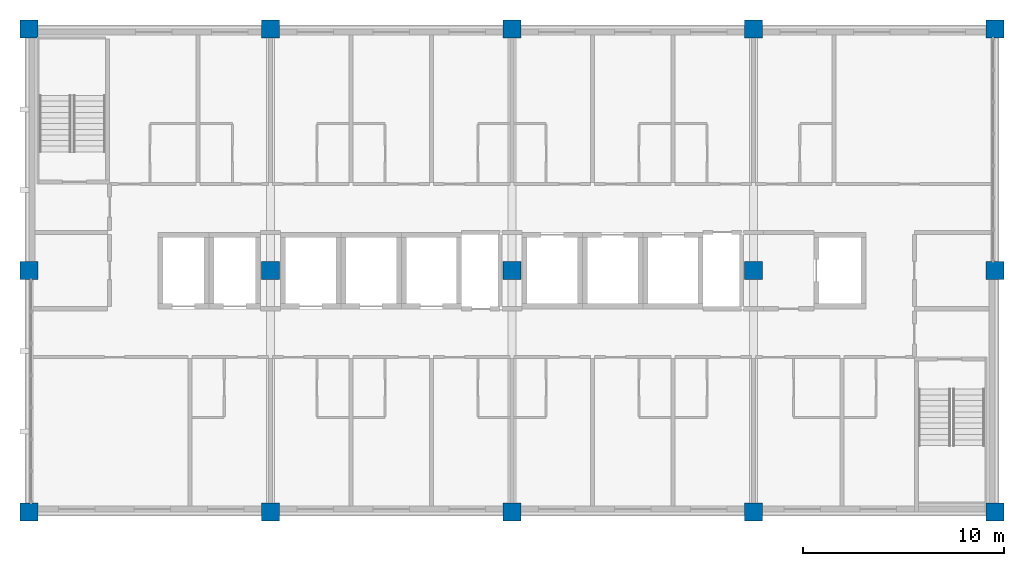
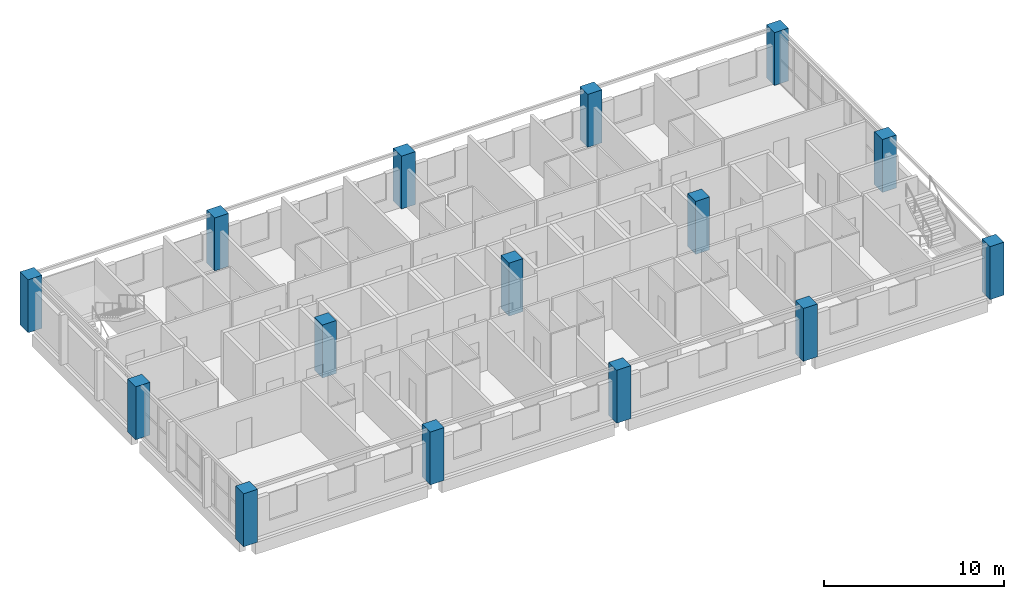
# One storey, part 1 of 11: 15 columns.
"""IFC4 building model written with IfcOpenShell, lengths in metres."""

from ifc_helpers import new_model, si_unit, direction, frame, origin, origin_2d, place, context, subcontext, project, spatial, rectangle, extrude, material, material_profile, profile_set, type_object, element, save


model = new_model("IFC4")

# Units and contexts
model_context = context("Model", 3, precision=1e-05, world=origin(), true_north=direction((0.0, 1.0)))
body_context = subcontext(model_context, "Body", "Model", "MODEL_VIEW")
ifc_project = project(units=[si_unit("LENGTHUNIT", "METRE"), si_unit("AREAUNIT", "SQUARE_METRE"), si_unit("VOLUMEUNIT", "CUBIC_METRE"), si_unit("PLANEANGLEUNIT", "RADIAN"), si_unit("MASSUNIT", "GRAM", prefix="KILO")], contexts=[model_context])

# Site, building, storey
site_placement = place(None, origin())
site = spatial("IfcSite", under=ifc_project, at=site_placement, CompositionType="ELEMENT")
building_placement = place(site_placement, origin())
building = spatial("IfcBuilding", under=site, at=building_placement, Name="Lilac Gate Convention Centre", CompositionType="ELEMENT")
storey_placement = place(building_placement, frame((0.0, 0.0, 28.199951171875)))
storey = spatial("IfcBuildingStorey", under=building, at=storey_placement, Name="L06", CompositionType="ELEMENT", Elevation=28.199951171875)

# Columns
ifc_material = material(Name="Concrete C50", Category="concrete")
ifc_material_profile = material_profile(ifc_material, rectangle(XDim=0.89990234375, YDim=0.89990234375, at=origin_2d()), Name="RC 900x900")
ifc_profile_set = profile_set([ifc_material_profile], Name="Concrete C50")
column_type = type_object("IfcColumnType", Name="RC tower column 900x900 C50", PredefinedType="COLUMN", material=ifc_profile_set)
for number, where, z_axis, x_axis, name in (
    (1, (42.0, 222.0, 0.0), (0.0, 0.0, 1.0), (1.0, 0.0, 0.0), "C4 L06 at 4/S"),
    (2, (42.0, 234.0, 0.0), (0.0, 0.0, 1.0), (1.0, 0.0, 0.0), "C4 L06 at 4/T"),
    (3, (42.0, 246.0, 0.0), (0.0, 0.0, 1.0), (1.0, 0.0, 0.0), "C4 L06 at 4/U"),
    (4, (54.0, 222.0, 0.0), (0.0, 0.0, 1.0), (1.0, 0.0, 0.0), "C4 L06 at 5/S"),
    (5, (54.0, 234.0, 0.0), (0.0, 0.0, 1.0), (1.0, 0.0, 0.0), "C4 L06 at 5/T"),
    (6, (54.0, 246.0, 0.0), (0.0, 0.0, 1.0), (1.0, 0.0, 0.0), "C4 L06 at 5/U"),
    (7, (66.0, 222.0, 0.0), (0.0, 0.0, 1.0), (1.0, 0.0, 0.0), "C4 L06 at 6/S"),
    (8, (66.0, 234.0, 0.0), (0.0, 0.0, 1.0), (1.0, 0.0, 0.0), "C4 L06 at 6/T"),
    (9, (66.0, 246.0, 0.0), (0.0, 0.0, 1.0), (1.0, 0.0, 0.0), "C4 L06 at 6/U"),
    (10, (78.0, 222.0, 0.0), (0.0, 0.0, 1.0), (1.0, 0.0, 0.0), "C4 L06 at 7/S"),
    (11, (78.0, 234.0, 0.0), (0.0, 0.0, 1.0), (1.0, 0.0, 0.0), "C4 L06 at 7/T"),
    (12, (78.0, 246.0, 0.0), (0.0, 0.0, 1.0), (1.0, 0.0, 0.0), "C4 L06 at 7/U"),
    (13, (90.0, 222.0, 0.0), (0.0, 0.0, 1.0), (1.0, 0.0, 0.0), "C4 L06 at 8/S"),
    (14, (90.0, 234.0, 0.0), (0.0, 0.0, 1.0), (1.0, 0.0, 0.0), "C4 L06 at 8/T"),
    (15, (90.0, 246.0, 0.0), (0.0, 0.0, 1.0), (1.0, 0.0, 0.0), "C4 L06 at 8/U"),
):
    element("IfcColumn", number, at=place(storey_placement, frame(where, z_axis=z_axis, x_axis=x_axis)), inside=storey, type_object=column_type, Name=name, PredefinedType="COLUMN", context=body_context, shape_type="SweptSolid", body=[
        extrude(rectangle(XDim=0.89990234375, YDim=0.89990234375, at=origin_2d()), origin(), (0.0, 0.0, 1.0), 3.60009765625),
    ])

save(model, "model.ifc")
